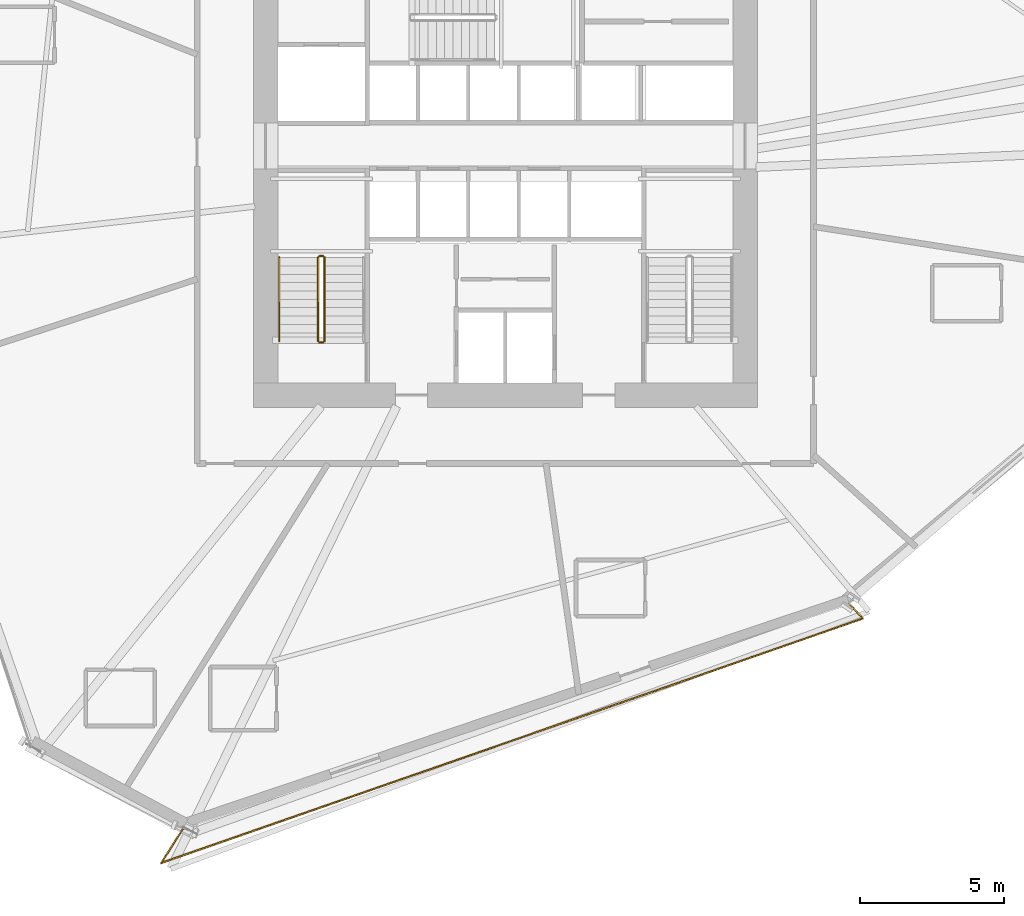
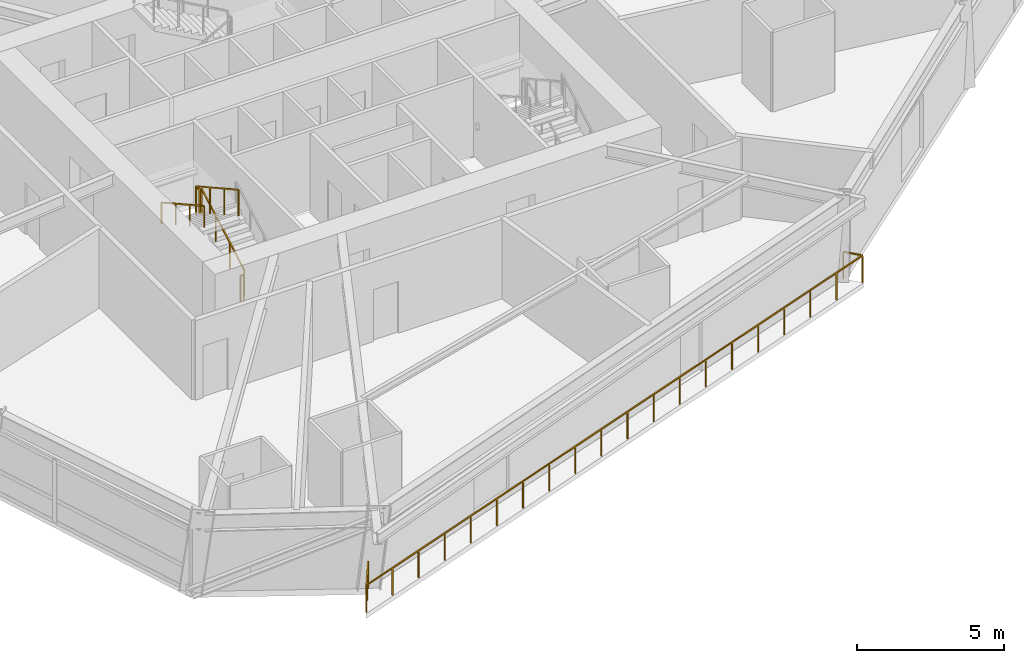
# One storey, part 19 of 22: 6 railings.
"""IFC4 building model written with IfcOpenShell, lengths in metres."""

from ifc_helpers import new_model, si_unit, direction, frame, origin, origin_2d, place, context, subcontext, project, spatial, rectangle, extrude, material, type_object, element, save


model = new_model("IFC4")

# Units and contexts
model_context = context("Model", 3, precision=1e-05, world=origin(), true_north=direction((0.0, 1.0)))
body_context = subcontext(model_context, "Body", "Model", "MODEL_VIEW")
ifc_project = project(units=[si_unit("LENGTHUNIT", "METRE"), si_unit("AREAUNIT", "SQUARE_METRE"), si_unit("VOLUMEUNIT", "CUBIC_METRE"), si_unit("PLANEANGLEUNIT", "RADIAN"), si_unit("MASSUNIT", "GRAM", prefix="KILO")], contexts=[model_context])

# Site, building, storey
site_placement = place(None, origin())
site = spatial("IfcSite", under=ifc_project, at=site_placement, CompositionType="ELEMENT")
building_placement = place(site_placement, origin())
building = spatial("IfcBuilding", under=site, at=building_placement, Name="Olszyna Solenne Hotel", CompositionType="ELEMENT")
storey_placement = place(building_placement, frame((0.0, 0.0, 57.699951171875)))
storey = spatial("IfcBuildingStorey", under=building, at=storey_placement, Name="L14", CompositionType="ELEMENT", Elevation=57.699951171875)

# Railings
ifc_material_1 = material(Name="Anodised bronze aluminium", Category="aluminium")
railing_type_1 = type_object("IfcRailingType", Name="GR-110", PredefinedType="BALUSTRADE", material=ifc_material_1)
railing_1_placement = place(storey_placement, frame((26.810546875, 4.028564453125, 0.0)))
element("IfcRailing", 1, at=railing_1_placement, inside=storey, type_object=railing_type_1, Name="Loggia balcony balustrade guard GR-L14-LG3", PredefinedType="BALUSTRADE", context=body_context, shape_type="SweptSolid", body=[
    extrude(rectangle(XDim=0.048095703125, YDim=0.048095703125, at=origin_2d()), frame((0.0, 0.0, 1.1259765625), z_axis=(-0.536418856739, -0.843951900368, 0.0), x_axis=(0.843951900368, -0.536418856739, 0.0)), (0.0, 0.0, 1.0), 1.418701171875),
    extrude(rectangle(XDim=0.048095703125, YDim=0.048095703125, at=origin_2d()), frame((-0.760986328125, -1.197265625, 1.1259765625), z_axis=(0.944309985052, 0.329057217108, 0.0), x_axis=(-0.329057217108, 0.944309985052, 0.0)), (0.0, 0.0, 1.0), 25.79736328125),
    extrude(rectangle(XDim=0.048095703125, YDim=0.048095703125, at=origin_2d()), frame((23.599609375, 7.29150390625, 1.1259765625), z_axis=(-0.668769109891, 0.743470159223, 0.0), x_axis=(-0.743470159223, -0.668769109891, 0.0)), (0.0, 0.0, 1.0), 0.689697265625),
    extrude(rectangle(XDim=0.0419921875, YDim=0.0419921875, at=origin_2d()), origin(), (0.0, 0.0, 1.0), 1.101806640625),
    extrude(rectangle(XDim=0.0419921875, YDim=0.0419921875, at=origin_2d()), frame((-0.38037109375, -0.5986328125, 0.0)), (0.0, 0.0, 1.0), 1.101806640625),
    extrude(rectangle(XDim=0.0419921875, YDim=0.0419921875, at=origin_2d()), frame((-0.760986328125, -1.197265625, 0.0)), (0.0, 0.0, 1.0), 1.101806640625),
    extrude(rectangle(XDim=0.0419921875, YDim=0.0419921875, at=origin_2d()), frame((0.521240234375, -0.75048828125, 0.0)), (0.0, 0.0, 1.0), 1.101806640625),
    extrude(rectangle(XDim=0.0419921875, YDim=0.0419921875, at=origin_2d()), frame((1.80322265625, -0.3037109375, 0.0)), (0.0, 0.0, 1.0), 1.101806640625),
    extrude(rectangle(XDim=0.0419921875, YDim=0.0419921875, at=origin_2d()), frame((3.08544921875, 0.14306640625, 0.0)), (0.0, 0.0, 1.0), 1.101806640625),
    extrude(rectangle(XDim=0.0419921875, YDim=0.0419921875, at=origin_2d()), frame((4.36767578125, 0.58984375, 0.0)), (0.0, 0.0, 1.0), 1.101806640625),
    extrude(rectangle(XDim=0.0419921875, YDim=0.0419921875, at=origin_2d()), frame((5.649658203125, 1.03662109375, 0.0)), (0.0, 0.0, 1.0), 1.101806640625),
    extrude(rectangle(XDim=0.0419921875, YDim=0.0419921875, at=origin_2d()), frame((6.931884765625, 1.4833984375, 0.0)), (0.0, 0.0, 1.0), 1.101806640625),
    extrude(rectangle(XDim=0.0419921875, YDim=0.0419921875, at=origin_2d()), frame((8.2138671875, 1.93017578125, 0.0)), (0.0, 0.0, 1.0), 1.101806640625),
    extrude(rectangle(XDim=0.0419921875, YDim=0.0419921875, at=origin_2d()), frame((9.49609375, 2.376953125, 0.0)), (0.0, 0.0, 1.0), 1.101806640625),
    extrude(rectangle(XDim=0.0419921875, YDim=0.0419921875, at=origin_2d()), frame((10.7783203125, 2.82373046875, 0.0)), (0.0, 0.0, 1.0), 1.101806640625),
    extrude(rectangle(XDim=0.0419921875, YDim=0.0419921875, at=origin_2d()), frame((12.060302734375, 3.2705078125, 0.0)), (0.0, 0.0, 1.0), 1.101806640625),
    extrude(rectangle(XDim=0.0419921875, YDim=0.0419921875, at=origin_2d()), frame((13.342529296875, 3.71728515625, 0.0)), (0.0, 0.0, 1.0), 1.101806640625),
    extrude(rectangle(XDim=0.0419921875, YDim=0.0419921875, at=origin_2d()), frame((14.624755859375, 4.1640625, 0.0)), (0.0, 0.0, 1.0), 1.101806640625),
    extrude(rectangle(XDim=0.0419921875, YDim=0.0419921875, at=origin_2d()), frame((15.90673828125, 4.61083984375, 0.0)), (0.0, 0.0, 1.0), 1.101806640625),
    extrude(rectangle(XDim=0.0419921875, YDim=0.0419921875, at=origin_2d()), frame((17.18896484375, 5.0576171875, 0.0)), (0.0, 0.0, 1.0), 1.101806640625),
    extrude(rectangle(XDim=0.0419921875, YDim=0.0419921875, at=origin_2d()), frame((18.470947265625, 5.50439453125, 0.0)), (0.0, 0.0, 1.0), 1.101806640625),
    extrude(rectangle(XDim=0.0419921875, YDim=0.0419921875, at=origin_2d()), frame((19.753173828125, 5.951171875, 0.0)), (0.0, 0.0, 1.0), 1.101806640625),
    extrude(rectangle(XDim=0.0419921875, YDim=0.0419921875, at=origin_2d()), frame((21.035400390625, 6.39794921875, 0.0)), (0.0, 0.0, 1.0), 1.101806640625),
    extrude(rectangle(XDim=0.0419921875, YDim=0.0419921875, at=origin_2d()), frame((22.3173828125, 6.8447265625, 0.0)), (0.0, 0.0, 1.0), 1.101806640625),
    extrude(rectangle(XDim=0.0419921875, YDim=0.0419921875, at=origin_2d()), frame((23.599609375, 7.29150390625, 0.0)), (0.0, 0.0, 1.0), 1.101806640625),
    extrude(rectangle(XDim=0.0419921875, YDim=0.0419921875, at=origin_2d()), frame((23.138427734375, 7.80419921875, 0.0)), (0.0, 0.0, 1.0), 1.101806640625),
])
railing_2_placement = place(storey_placement, frame((31.719970703125, 20.949951171875, 0.161376953125)))
element("IfcRailing", 2, at=railing_2_placement, inside=storey, type_object=railing_type_1, Name="L14 ST1 stair guard 1", PredefinedType="BALUSTRADE", context=body_context, shape_type="SweptSolid", body=[
    extrude(rectangle(XDim=0.048095703125, YDim=0.048095703125, at=origin_2d()), frame((0.0, 0.0, 1.076171875), z_axis=(0.0, 0.873827439584, 0.48623616261), x_axis=(-1.0, 0.0, 0.0)), (0.0, 0.0, 1.0), 3.31884765625),
    extrude(rectangle(XDim=0.0419921875, YDim=0.0419921875, at=origin_2d()), origin(), (0.0, 0.0, 1.0), 1.052001953125),
    extrude(rectangle(XDim=0.0419921875, YDim=0.0419921875, at=origin_2d()), frame((0.0, 0.966796875, 0.537841796875)), (0.0, 0.0, 1.0), 1.052001953125),
    extrude(rectangle(XDim=0.0419921875, YDim=0.0419921875, at=origin_2d()), frame((0.0, 1.933349609375, 1.075927734375)), (0.0, 0.0, 1.0), 1.052001953125),
    extrude(rectangle(XDim=0.0419921875, YDim=0.0419921875, at=origin_2d()), frame((0.0, 2.900146484375, 1.61376953125)), (0.0, 0.0, 1.0), 1.052001953125),
])
railing_3_placement = place(storey_placement, frame((31.669921875, 23.89990234375, 1.775146484375)))
element("IfcRailing", 3, at=railing_3_placement, inside=storey, type_object=railing_type_1, Name="L14 ST1 stair guard 2", PredefinedType="BALUSTRADE", context=body_context, shape_type="SweptSolid", body=[
    extrude(rectangle(XDim=0.048095703125, YDim=0.048095703125, at=origin_2d()), frame((0.0, 0.0, 1.076171875), z_axis=(-1.0, 0.0, 0.0), x_axis=(0.0, -1.0, 0.0)), (0.0, 0.0, 1.0), 0.119873046875),
    extrude(rectangle(XDim=0.0419921875, YDim=0.0419921875, at=origin_2d()), origin(), (0.0, 0.0, 1.0), 1.052001953125),
    extrude(rectangle(XDim=0.0419921875, YDim=0.0419921875, at=origin_2d()), frame((-0.119873046875, 0.0, 0.0)), (0.0, 0.0, 1.0), 1.052001953125),
])
railing_4_placement = place(storey_placement, frame((31.5, 23.85009765625, 1.9365234375)))
element("IfcRailing", 4, at=railing_4_placement, inside=storey, type_object=railing_type_1, Name="L14 ST1 stair guard 3", PredefinedType="BALUSTRADE", context=body_context, shape_type="SweptSolid", body=[
    extrude(rectangle(XDim=0.048095703125, YDim=0.048095703125, at=origin_2d()), frame((0.0, 0.0, 1.076171875), z_axis=(0.0, -0.873858693841, 0.486179990537), x_axis=(1.0, 0.0, 0.0)), (0.0, 0.0, 1.0), 3.31884765625),
    extrude(rectangle(XDim=0.0419921875, YDim=0.0419921875, at=origin_2d()), origin(), (0.0, 0.0, 1.0), 1.052001953125),
    extrude(rectangle(XDim=0.0419921875, YDim=0.0419921875, at=origin_2d()), frame((0.0, -0.966796875, 0.537841796875)), (0.0, 0.0, 1.0), 1.052001953125),
    extrude(rectangle(XDim=0.0419921875, YDim=0.0419921875, at=origin_2d()), frame((0.0, -1.933349609375, 1.07568359375)), (0.0, 0.0, 1.0), 1.052001953125),
    extrude(rectangle(XDim=0.0419921875, YDim=0.0419921875, at=origin_2d()), frame((0.0, -2.900146484375, 1.613525390625)), (0.0, 0.0, 1.0), 1.052001953125),
])
railing_5_placement = place(storey_placement, frame((31.669921875, 20.89990234375, 0.0)))
element("IfcRailing", 5, at=railing_5_placement, inside=storey, type_object=railing_type_1, Name="L14 ST1 stair guard 4", PredefinedType="BALUSTRADE", context=body_context, shape_type="SweptSolid", body=[
    extrude(rectangle(XDim=0.048095703125, YDim=0.048095703125, at=origin_2d()), frame((0.0, 0.0, 1.076171875), z_axis=(-1.0, 0.0, 0.0), x_axis=(0.0, -1.0, 0.0)), (0.0, 0.0, 1.0), 0.119873046875),
    extrude(rectangle(XDim=0.0419921875, YDim=0.0419921875, at=origin_2d()), origin(), (0.0, 0.0, 1.0), 1.052001953125),
    extrude(rectangle(XDim=0.0419921875, YDim=0.0419921875, at=origin_2d()), frame((-0.119873046875, 0.0, 0.0)), (0.0, 0.0, 1.0), 1.052001953125),
])
ifc_material_2 = material(Name="Steel S355J2", Category="steel")
railing_type_2 = type_object("IfcRailingType", Name="HR-090", PredefinedType="HANDRAIL", material=ifc_material_2)
railing_6_placement = place(storey_placement, frame((30.14990234375, 23.85009765625, 1.9365234375)))
element("IfcRailing", 6, at=railing_6_placement, inside=storey, type_object=railing_type_2, Name="L14 ST1 stair handrail 2", PredefinedType="HANDRAIL", context=body_context, shape_type="SweptSolid", body=[
    extrude(rectangle(XDim=0.048095703125, YDim=0.048095703125, at=origin_2d()), frame((0.0, 0.0, 0.8759765625), z_axis=(0.0, -0.873858693841, 0.486179990537), x_axis=(1.0, 0.0, 0.0)), (0.0, 0.0, 1.0), 3.31884765625),
    extrude(rectangle(XDim=0.0419921875, YDim=0.0419921875, at=origin_2d()), origin(), (0.0, 0.0, 1.0), 0.851806640625),
    extrude(rectangle(XDim=0.0419921875, YDim=0.0419921875, at=origin_2d()), frame((0.0, -0.966796875, 0.537841796875)), (0.0, 0.0, 1.0), 0.851806640625),
    extrude(rectangle(XDim=0.0419921875, YDim=0.0419921875, at=origin_2d()), frame((0.0, -1.933349609375, 1.07568359375)), (0.0, 0.0, 1.0), 0.851806640625),
    extrude(rectangle(XDim=0.0419921875, YDim=0.0419921875, at=origin_2d()), frame((0.0, -2.900146484375, 1.613525390625)), (0.0, 0.0, 1.0), 0.851806640625),
])

save(model, "model.ifc")
